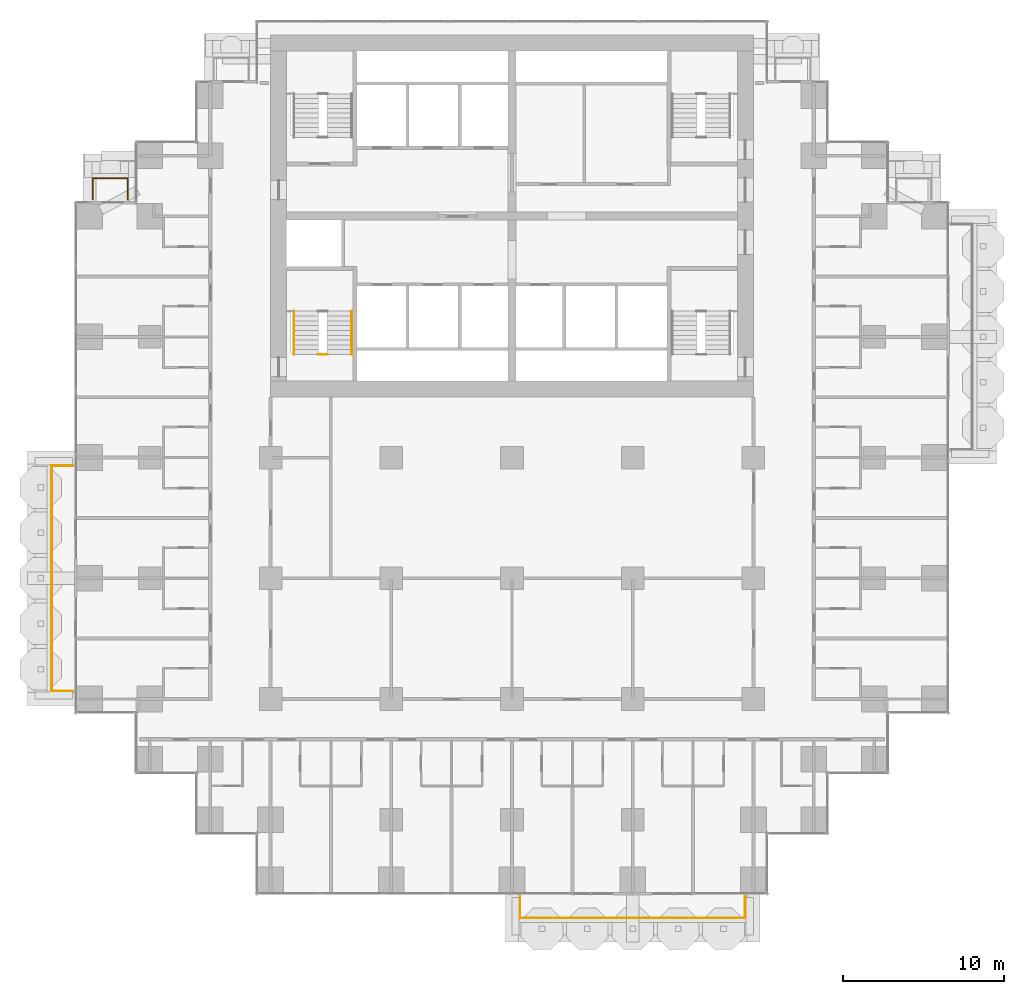
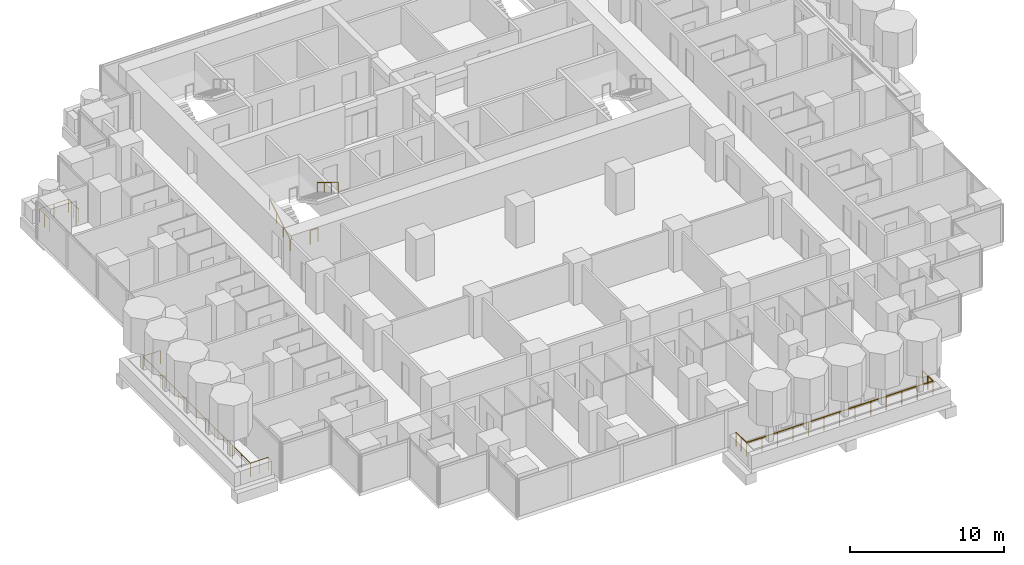
# One storey, part 17 of 19: 6 railings.
"""IFC4 building model written with IfcOpenShell, lengths in metres."""

from ifc_helpers import new_model, si_unit, direction, frame, origin, origin_2d, place, context, subcontext, project, spatial, circle, extrude, material, type_object, element, save


model = new_model("IFC4")

# Units and contexts
model_context = context("Model", 3, precision=1e-05, world=origin(), true_north=direction((0.0, 1.0)))
body_context = subcontext(model_context, "Body", "Model", "MODEL_VIEW")
ifc_project = project(units=[si_unit("LENGTHUNIT", "METRE"), si_unit("AREAUNIT", "SQUARE_METRE"), si_unit("VOLUMEUNIT", "CUBIC_METRE"), si_unit("PLANEANGLEUNIT", "RADIAN"), si_unit("MASSUNIT", "GRAM", prefix="KILO")], contexts=[model_context])

# Site, building, storey
site_placement = place(None, origin())
site = spatial("IfcSite", under=ifc_project, at=site_placement, CompositionType="ELEMENT")
building_placement = place(site_placement, origin())
building = spatial("IfcBuilding", under=site, at=building_placement, Name="Pilkhan Gate Tower", CompositionType="ELEMENT")
storey_placement = place(building_placement, frame((0.0, 0.0, 39.5)))
storey = spatial("IfcBuildingStorey", under=building, at=storey_placement, Name="L06", CompositionType="ELEMENT", Elevation=39.5)

# Railings
ifc_material_1 = material(Name="Pale anodised aluminium posts, laminated glass infill", Category="aluminium")
railing_type_1 = type_object("IfcRailingType", Name="Balcony guard G1", PredefinedType="BALUSTRADE", material=ifc_material_1)
railing_1_placement = place(storey_placement, frame((75.5, 40.22998046875, 0.0)))
element("IfcRailing", 1, at=railing_1_placement, inside=storey, type_object=railing_type_1, Name="Balcony guard L06 S", PredefinedType="BALUSTRADE", context=body_context, shape_type="SweptSolid", body=[
    extrude(circle(Radius=0.02392578125, at=origin_2d()), frame((0.0, 0.0, 1.076171875), z_axis=(0.0, -1.0, 0.0), x_axis=(1.0, 0.0, 0.0)), (0.0, 0.0, 1.0), 1.330078125),
    extrude(circle(Radius=0.02392578125, at=origin_2d()), frame((0.0, -1.330078125, 1.076171875), z_axis=(1.0, 0.0, 0.0), x_axis=(0.0, 1.0, 0.0)), (0.0, 0.0, 1.0), 14.0),
    extrude(circle(Radius=0.02392578125, at=origin_2d()), frame((14.0, -1.330078125, 1.076171875), z_axis=(0.0, 1.0, 0.0), x_axis=(-1.0, 0.0, 0.0)), (0.0, 0.0, 1.0), 1.330078125),
    extrude(circle(Radius=0.02099609375, at=origin_2d()), origin(), (0.0, 0.0, 1.0), 1.052001953125),
    extrude(circle(Radius=0.02099609375, at=origin_2d()), frame((0.0, -0.6650390625, 0.0)), (0.0, 0.0, 1.0), 1.052001953125),
    extrude(circle(Radius=0.02099609375, at=origin_2d()), frame((0.0, -1.330078125, 0.0)), (0.0, 0.0, 1.0), 1.052001953125),
    extrude(circle(Radius=0.02099609375, at=origin_2d()), frame((1.166748046875, -1.330078125, 0.0)), (0.0, 0.0, 1.0), 1.052001953125),
    extrude(circle(Radius=0.02099609375, at=origin_2d()), frame((2.333251953125, -1.330078125, 0.0)), (0.0, 0.0, 1.0), 1.052001953125),
    extrude(circle(Radius=0.02099609375, at=origin_2d()), frame((3.5, -1.330078125, 0.0)), (0.0, 0.0, 1.0), 1.052001953125),
    extrude(circle(Radius=0.02099609375, at=origin_2d()), frame((4.666748046875, -1.330078125, 0.0)), (0.0, 0.0, 1.0), 1.052001953125),
    extrude(circle(Radius=0.02099609375, at=origin_2d()), frame((5.833251953125, -1.330078125, 0.0)), (0.0, 0.0, 1.0), 1.052001953125),
    extrude(circle(Radius=0.02099609375, at=origin_2d()), frame((7.0, -1.330078125, 0.0)), (0.0, 0.0, 1.0), 1.052001953125),
    extrude(circle(Radius=0.02099609375, at=origin_2d()), frame((8.166748046875, -1.330078125, 0.0)), (0.0, 0.0, 1.0), 1.052001953125),
    extrude(circle(Radius=0.02099609375, at=origin_2d()), frame((9.333251953125, -1.330078125, 0.0)), (0.0, 0.0, 1.0), 1.052001953125),
    extrude(circle(Radius=0.02099609375, at=origin_2d()), frame((10.5, -1.330078125, 0.0)), (0.0, 0.0, 1.0), 1.052001953125),
    extrude(circle(Radius=0.02099609375, at=origin_2d()), frame((11.666748046875, -1.330078125, 0.0)), (0.0, 0.0, 1.0), 1.052001953125),
    extrude(circle(Radius=0.02099609375, at=origin_2d()), frame((12.833251953125, -1.330078125, 0.0)), (0.0, 0.0, 1.0), 1.052001953125),
    extrude(circle(Radius=0.02099609375, at=origin_2d()), frame((14.0, -1.330078125, 0.0)), (0.0, 0.0, 1.0), 1.052001953125),
    extrude(circle(Radius=0.02099609375, at=origin_2d()), frame((14.0, -0.6650390625, 0.0)), (0.0, 0.0, 1.0), 1.052001953125),
    extrude(circle(Radius=0.02099609375, at=origin_2d()), frame((14.0, 0.0, 0.0)), (0.0, 0.0, 1.0), 1.052001953125),
])
railing_2_placement = place(storey_placement, frame((48.949951171875, 83.5400390625, 0.0)))
element("IfcRailing", 2, at=railing_2_placement, inside=storey, type_object=railing_type_1, Name="Balcony guard L06 N", PredefinedType="BALUSTRADE", context=body_context, shape_type="SweptSolid", body=[
    extrude(circle(Radius=0.02392578125, at=origin_2d()), frame((0.0, 0.0, 1.076171875), z_axis=(0.0, 1.0, 0.0), x_axis=(-1.0, 0.0, 0.0)), (0.0, 0.0, 1.0), 1.31005859375),
    extrude(circle(Radius=0.02392578125, at=origin_2d()), frame((0.0, 1.31005859375, 1.076171875), z_axis=(1.0, 0.0, 0.0), x_axis=(0.0, 1.0, 0.0)), (0.0, 0.0, 1.0), 2.179931640625),
    extrude(circle(Radius=0.02392578125, at=origin_2d()), frame((2.179931640625, 1.31005859375, 1.076171875), z_axis=(0.0, -1.0, 0.0), x_axis=(1.0, 0.0, 0.0)), (0.0, 0.0, 1.0), 1.31005859375),
    extrude(circle(Radius=0.02099609375, at=origin_2d()), origin(), (0.0, 0.0, 1.0), 1.052001953125),
    extrude(circle(Radius=0.02099609375, at=origin_2d()), frame((0.0, 0.655029296875, 0.0)), (0.0, 0.0, 1.0), 1.052001953125),
    extrude(circle(Radius=0.02099609375, at=origin_2d()), frame((0.0, 1.31005859375, 0.0)), (0.0, 0.0, 1.0), 1.052001953125),
    extrude(circle(Radius=0.02099609375, at=origin_2d()), frame((1.08984375, 1.31005859375, 0.0)), (0.0, 0.0, 1.0), 1.052001953125),
    extrude(circle(Radius=0.02099609375, at=origin_2d()), frame((2.179931640625, 1.31005859375, 0.0)), (0.0, 0.0, 1.0), 1.052001953125),
    extrude(circle(Radius=0.02099609375, at=origin_2d()), frame((2.179931640625, 0.655029296875, 0.0)), (0.0, 0.0, 1.0), 1.052001953125),
    extrude(circle(Radius=0.02099609375, at=origin_2d()), frame((2.179931640625, 0.0, 0.0)), (0.0, 0.0, 1.0), 1.052001953125),
])
railing_3_placement = place(storey_placement, frame((47.72998046875, 53.0, 0.0)))
element("IfcRailing", 3, at=railing_3_placement, inside=storey, type_object=railing_type_1, Name="Balcony guard L06 W", PredefinedType="BALUSTRADE", context=body_context, shape_type="SweptSolid", body=[
    extrude(circle(Radius=0.02392578125, at=origin_2d()), frame((0.0, 0.0, 1.076171875), z_axis=(-1.0, 0.0, 0.0), x_axis=(0.0, -1.0, 0.0)), (0.0, 0.0, 1.0), 1.330078125),
    extrude(circle(Radius=0.02392578125, at=origin_2d()), frame((-1.330078125, 0.0, 1.076171875), z_axis=(0.0, 1.0, 0.0), x_axis=(-1.0, 0.0, 0.0)), (0.0, 0.0, 1.0), 14.0),
    extrude(circle(Radius=0.02392578125, at=origin_2d()), frame((-1.330078125, 14.0, 1.076171875), z_axis=(1.0, 0.0, 0.0), x_axis=(0.0, 1.0, 0.0)), (0.0, 0.0, 1.0), 1.330078125),
    extrude(circle(Radius=0.02099609375, at=origin_2d()), origin(), (0.0, 0.0, 1.0), 1.052001953125),
    extrude(circle(Radius=0.02099609375, at=origin_2d()), frame((-0.6650390625, 0.0, 0.0)), (0.0, 0.0, 1.0), 1.052001953125),
    extrude(circle(Radius=0.02099609375, at=origin_2d()), frame((-1.330078125, 0.0, 0.0)), (0.0, 0.0, 1.0), 1.052001953125),
    extrude(circle(Radius=0.02099609375, at=origin_2d()), frame((-1.330078125, 1.166748046875, 0.0)), (0.0, 0.0, 1.0), 1.052001953125),
    extrude(circle(Radius=0.02099609375, at=origin_2d()), frame((-1.330078125, 2.333251953125, 0.0)), (0.0, 0.0, 1.0), 1.052001953125),
    extrude(circle(Radius=0.02099609375, at=origin_2d()), frame((-1.330078125, 3.5, 0.0)), (0.0, 0.0, 1.0), 1.052001953125),
    extrude(circle(Radius=0.02099609375, at=origin_2d()), frame((-1.330078125, 4.666748046875, 0.0)), (0.0, 0.0, 1.0), 1.052001953125),
    extrude(circle(Radius=0.02099609375, at=origin_2d()), frame((-1.330078125, 5.833251953125, 0.0)), (0.0, 0.0, 1.0), 1.052001953125),
    extrude(circle(Radius=0.02099609375, at=origin_2d()), frame((-1.330078125, 7.0, 0.0)), (0.0, 0.0, 1.0), 1.052001953125),
    extrude(circle(Radius=0.02099609375, at=origin_2d()), frame((-1.330078125, 8.166748046875, 0.0)), (0.0, 0.0, 1.0), 1.052001953125),
    extrude(circle(Radius=0.02099609375, at=origin_2d()), frame((-1.330078125, 9.333251953125, 0.0)), (0.0, 0.0, 1.0), 1.052001953125),
    extrude(circle(Radius=0.02099609375, at=origin_2d()), frame((-1.330078125, 10.5, 0.0)), (0.0, 0.0, 1.0), 1.052001953125),
    extrude(circle(Radius=0.02099609375, at=origin_2d()), frame((-1.330078125, 11.666748046875, 0.0)), (0.0, 0.0, 1.0), 1.052001953125),
    extrude(circle(Radius=0.02099609375, at=origin_2d()), frame((-1.330078125, 12.833251953125, 0.0)), (0.0, 0.0, 1.0), 1.052001953125),
    extrude(circle(Radius=0.02099609375, at=origin_2d()), frame((-1.330078125, 14.0, 0.0)), (0.0, 0.0, 1.0), 1.052001953125),
    extrude(circle(Radius=0.02099609375, at=origin_2d()), frame((-0.6650390625, 14.0, 0.0)), (0.0, 0.0, 1.0), 1.052001953125),
    extrude(circle(Radius=0.02099609375, at=origin_2d()), frame((0.0, 14.0, 0.0)), (0.0, 0.0, 1.0), 1.052001953125),
])
ifc_material_2 = material(Name="Black powder-coated steel tube", Category="steel")
railing_type_2 = type_object("IfcRailingType", Name="Stair handrail HR1", PredefinedType="HANDRAIL", material=ifc_material_2)
railing_4_placement = place(storey_placement, frame((61.449951171875, 73.89990234375, 0.0)))
element("IfcRailing", 4, at=railing_4_placement, inside=storey, type_object=railing_type_2, Name="Stair ST2 handrail L06", PredefinedType="HANDRAIL", context=body_context, shape_type="SweptSolid", body=[
    extrude(circle(Radius=0.02392578125, at=origin_2d()), frame((0.0, 0.0, 0.8759765625), z_axis=(0.0, 0.853312346642, 0.521400075823), x_axis=(-1.0, 0.0, 0.0)), (0.0, 0.0, 1.0), 3.164306640625),
    extrude(circle(Radius=0.02099609375, at=origin_2d()), origin(), (0.0, 0.0, 1.0), 0.851806640625),
    extrude(circle(Radius=0.02099609375, at=origin_2d()), frame((0.0, 0.900146484375, 0.550048828125)), (0.0, 0.0, 1.0), 0.851806640625),
    extrude(circle(Radius=0.02099609375, at=origin_2d()), frame((0.0, 1.800048828125, 1.099853515625)), (0.0, 0.0, 1.0), 0.851806640625),
    extrude(circle(Radius=0.02099609375, at=origin_2d()), frame((0.0, 2.7001953125, 1.64990234375)), (0.0, 0.0, 1.0), 0.851806640625),
])
railing_5_placement = place(storey_placement, frame((65.050048828125, 76.60009765625, 1.64990234375)))
element("IfcRailing", 5, at=railing_5_placement, inside=storey, type_object=railing_type_2, Name="Stair ST2 handrail L06", PredefinedType="HANDRAIL", context=body_context, shape_type="SweptSolid", body=[
    extrude(circle(Radius=0.02392578125, at=origin_2d()), frame((0.0, 0.0, 0.8759765625), z_axis=(0.0, -0.853278019476, 0.521456250781), x_axis=(1.0, 0.0, 0.0)), (0.0, 0.0, 1.0), 3.16455078125),
    extrude(circle(Radius=0.02099609375, at=origin_2d()), origin(), (0.0, 0.0, 1.0), 0.851806640625),
    extrude(circle(Radius=0.02099609375, at=origin_2d()), frame((0.0, -0.900146484375, 0.550048828125)), (0.0, 0.0, 1.0), 0.851806640625),
    extrude(circle(Radius=0.02099609375, at=origin_2d()), frame((0.0, -1.800048828125, 1.10009765625)), (0.0, 0.0, 1.0), 0.851806640625),
    extrude(circle(Radius=0.02099609375, at=origin_2d()), frame((0.0, -2.7001953125, 1.650146484375)), (0.0, 0.0, 1.0), 0.851806640625),
])
ifc_material_3 = material(Name="Black powder-coated steel balusters", Category="steel")
railing_type_3 = type_object("IfcRailingType", Name="Stair well guard G3", PredefinedType="GUARDRAIL", material=ifc_material_3)
railing_6_placement = place(storey_placement, frame((62.9599609375, 73.89990234375, 0.0)))
element("IfcRailing", 6, at=railing_6_placement, inside=storey, type_object=railing_type_3, Name="Stair ST2 well guard L06", PredefinedType="GUARDRAIL", context=body_context, shape_type="SweptSolid", body=[
    extrude(circle(Radius=0.02392578125, at=origin_2d()), frame((0.0, 0.0, 1.076171875), z_axis=(1.0, 0.0, 0.0), x_axis=(0.0, 1.0, 0.0)), (0.0, 0.0, 1.0), 0.580078125),
    extrude(circle(Radius=0.02099609375, at=origin_2d()), origin(), (0.0, 0.0, 1.0), 1.052001953125),
    extrude(circle(Radius=0.02099609375, at=origin_2d()), frame((0.580078125, 0.0, 0.0)), (0.0, 0.0, 1.0), 1.052001953125),
])

save(model, "model.ifc")
